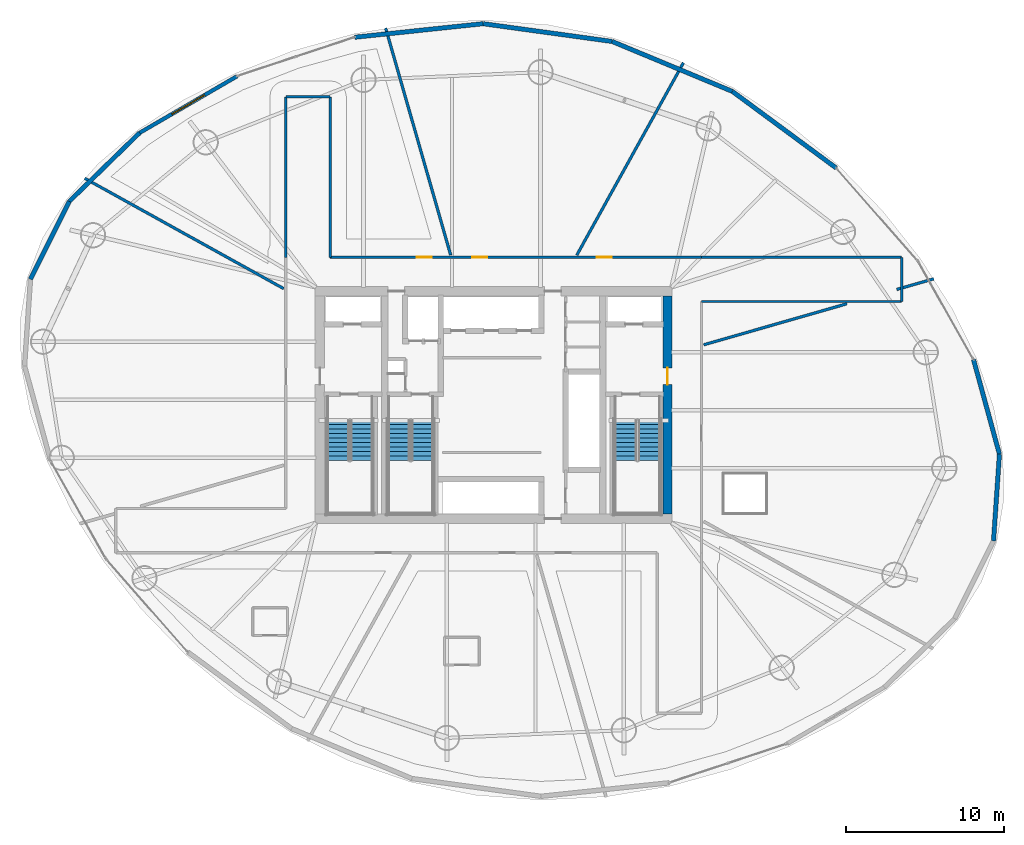
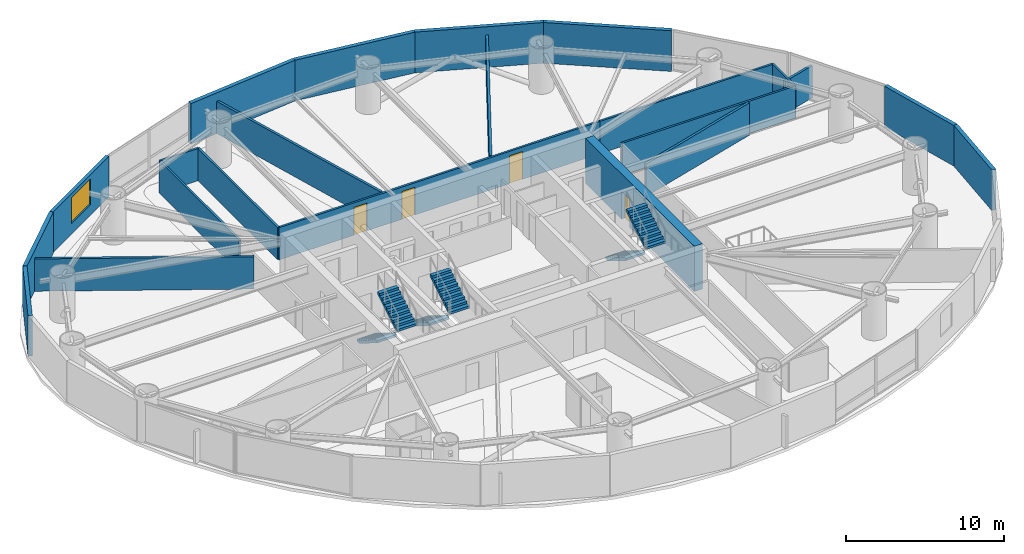
# One storey, part 20 of 25: 22 walls, 6 stair flights, 4 doors, 1 window, 5 openings, 3 elements without a shape of their own.
"""IFC4 building model written with IfcOpenShell, lengths in metres."""

from ifc_helpers import new_model, si_unit, direction, frame, frame_2d, origin, place, context, subcontext, project, spatial, polyline, rectangle, outline, extrude, material, layer, layer_set, type_object, element, fill, aggregate, save


model = new_model("IFC4")

# Units and contexts
model_context = context("Model", 3, precision=1e-05, world=origin(), true_north=direction((0.0, 1.0)))
body_context = subcontext(model_context, "Body", "Model", "MODEL_VIEW")
ifc_project = project(units=[si_unit("LENGTHUNIT", "METRE"), si_unit("AREAUNIT", "SQUARE_METRE"), si_unit("VOLUMEUNIT", "CUBIC_METRE"), si_unit("PLANEANGLEUNIT", "RADIAN"), si_unit("MASSUNIT", "GRAM", prefix="KILO")], contexts=[model_context])

# Site, building, storey
site_placement = place(None, origin())
site = spatial("IfcSite", under=ifc_project, at=site_placement, CompositionType="ELEMENT")
building_placement = place(site_placement, origin())
building = spatial("IfcBuilding", under=site, at=building_placement, Name="Bramvorn Convention Spire", CompositionType="ELEMENT")
storey_placement = place(building_placement, frame((0.0, 0.0, 93.89990234375)))
storey = spatial("IfcBuildingStorey", under=building, at=storey_placement, Name="L22", CompositionType="ELEMENT", Elevation=93.89990234375)

# Wall, opening, door
ifc_material_1 = material(Name="Concrete C60/70", Category="concrete")
ifc_layer_1 = layer(ifc_material_1, 0.60009765625)
ifc_layer_set_1 = layer_set([ifc_layer_1], Name="Concrete C60/70 - WL-CORE-600")
wall_type_1 = type_object("IfcWallType", Name="WL-CORE-600", PredefinedType="SHEAR", material=ifc_layer_set_1)
wall_1_placement = place(storey_placement, frame((49.0, 19.10009765625, 0.0), z_axis=(0.0, 0.0, 1.0), x_axis=(0.0, 1.0, 0.0)))
wall_1 = element("IfcWall", 1, at=wall_1_placement, inside=storey, type_object=wall_type_1, Name="L22 East RC core shear wall", PredefinedType="SHEAR", context=body_context, shape_type="SweptSolid", body=[
    extrude(rectangle(XDim=13.7998046875, YDim=0.60009765625, at=frame_2d((6.89990234375, 0.0))), origin(), (0.0, 0.0, 1.0), 3.5),
])
opening_1_placement = place(wall_1_placement, frame((8.199951171875, 0.0, 0.0)))
opening_1 = element("IfcOpeningElement", 2, at=opening_1_placement, cuts=wall_1, Name="Opening DL-105", PredefinedType="OPENING", context=body_context, shape_type="SweptSolid", body=[
    extrude(rectangle(XDim=1.050048828125, YDim=2.14990234375, at=frame_2d((0.52490234375, 1.074951171875))), frame((0.0, 0.31005859375, 0.0), z_axis=(0.0, -1.0, 0.0), x_axis=(1.0, 0.0, 0.0)), (0.0, 0.0, 1.0), 0.6201171875),
])
ifc_material_2 = material(Name="Smoke-Sealed Fire Lobby Timber-Core Door", Category="wood")
door_type_1 = type_object("IfcDoorType", Name="DR-LOBBY-1050", OperationType="NOTDEFINED", PredefinedType="DOOR", material=ifc_material_2)
door_1_placement = place(opening_1_placement, origin())
door_1 = element("IfcDoor", 3, at=door_1_placement, inside=storey, type_object=door_type_1, Name="L22 East Firefighting Lobby corridor door", OperationType="SINGLE_SWING_LEFT", OverallHeight=2.14990234375, OverallWidth=1.050048828125, PredefinedType="DOOR", context=body_context, shape_type="SweptSolid", body=[
    extrude(rectangle(XDim=1.050048828125, YDim=2.14990234375, at=frame_2d((0.52490234375, 1.074951171875))), frame((0.0, 0.02490234375, 0.0), z_axis=(0.0, -1.0, 0.0), x_axis=(1.0, 0.0, 0.0)), (0.0, 0.0, 1.0), 0.050048828125),
])
fill(opening_1, door_1)

# Walls
ifc_material_3 = material(Name="Precast Concrete C40/50 with Bronze Terracotta Rainscreen", Category="masonry")
ifc_layer_2 = layer(ifc_material_3, 0.300048828125)
ifc_layer_set_2 = layer_set([ifc_layer_2], Name="Precast Concrete C40/50 with Bronze Terracotta Rainscreen - WL-EXT-BRONZE-300")
wall_type_2 = type_object("IfcWallType", Name="WL-EXT-BRONZE-300", PredefinedType="SOLIDWALL", material=ifc_layer_set_2)
wall_2_placement = place(storey_placement, frame((70.00830078125, 22.889892578125, 0.0), z_axis=(0.0, 0.0, 1.0), x_axis=(-0.068216787808, -0.997670521696, 0.0)))
element("IfcWall", 4, at=wall_2_placement, inside=storey, type_object=wall_type_2, Name="L22 expressed bronze Gothic lancet pier wall 01", PredefinedType="SOLIDWALL", context=body_context, shape_type="SweptSolid", body=[
    extrude(rectangle(XDim=5.4970703125, YDim=0.280029296875, at=frame_2d((2.74853515625, 0.0))), origin(), (0.0, 0.0, 1.0), 3.150146484375),
])
wall_3_placement = place(storey_placement, frame((68.366943359375, 28.88134765625, 0.0), z_axis=(0.0, 0.0, 1.0), x_axis=(0.264214615474, -0.964463911699, 0.0)))
element("IfcWall", 5, at=wall_3_placement, inside=storey, type_object=wall_type_2, Name="L22 expressed bronze Gothic lancet pier wall 02", PredefinedType="SOLIDWALL", context=body_context, shape_type="SweptSolid", body=[
    extrude(rectangle(XDim=6.212158203125, YDim=0.280029296875, at=frame_2d((3.10595703125, 0.0))), origin(), (0.0, 0.0, 1.0), 3.150146484375),
])
wall_4_placement = place(storey_placement, frame((53.106201171875, 45.848876953125, 0.0), z_axis=(0.0, 0.0, 1.0), x_axis=(0.804633561054, -0.593771700593, 0.0)))
element("IfcWall", 6, at=wall_4_placement, inside=storey, type_object=wall_type_2, Name="L22 expressed bronze Gothic lancet pier wall 05", PredefinedType="SOLIDWALL", context=body_context, shape_type="SweptSolid", body=[
    extrude(rectangle(XDim=8.170654296875, YDim=0.280029296875, at=frame_2d((4.08544921875, 0.0))), origin(), (0.0, 0.0, 1.0), 3.150146484375),
])
wall_5_placement = place(storey_placement, frame((45.4951171875, 49.01025390625, 0.0), z_axis=(0.0, 0.0, 1.0), x_axis=(0.923503174131, -0.383590781133, 0.0)))
element("IfcWall", 7, at=wall_5_placement, inside=storey, type_object=wall_type_2, Name="L22 expressed bronze Gothic lancet pier wall 06", PredefinedType="SOLIDWALL", context=body_context, shape_type="SweptSolid", body=[
    extrude(rectangle(XDim=8.241455078125, YDim=0.280029296875, at=frame_2d((4.12060546875, 0.0))), origin(), (0.0, 0.0, 1.0), 3.150146484375),
])
wall_6_placement = place(storey_placement, frame((37.3310546875, 50.134765625, 0.0), z_axis=(0.0, 0.0, 1.0), x_axis=(0.99064683014, -0.136450935994, 0.0)))
element("IfcWall", 8, at=wall_6_placement, inside=storey, type_object=wall_type_2, Name="L22 expressed bronze Gothic lancet pier wall 07", PredefinedType="SOLIDWALL", context=body_context, shape_type="SweptSolid", body=[
    extrude(rectangle(XDim=8.2412109375, YDim=0.280029296875, at=frame_2d((4.12060546875, 0.0))), origin(), (0.0, 0.0, 1.0), 3.150146484375),
])
wall_7_placement = place(storey_placement, frame((29.205322265625, 49.277099609375, 0.0), z_axis=(0.0, 0.0, 1.0), x_axis=(0.994475779268, 0.104966301492, 0.0)))
element("IfcWall", 9, at=wall_7_placement, inside=storey, type_object=wall_type_2, Name="L22 expressed bronze Gothic lancet pier wall 08", PredefinedType="SOLIDWALL", context=body_context, shape_type="SweptSolid", body=[
    extrude(rectangle(XDim=8.1708984375, YDim=0.280029296875, at=frame_2d((4.08544921875, 0.0))), origin(), (0.0, 0.0, 1.0), 3.150146484375),
])

# Wall, opening, window
wall_8_placement = place(storey_placement, frame((15.582275390625, 43.22265625, 0.0), z_axis=(0.0, 0.0, 1.0), x_axis=(0.864602156162, 0.502457074346, 0.0)))
wall_8 = element("IfcWall", 10, at=wall_8_placement, inside=storey, type_object=wall_type_2, Name="L22 bronze ceramic-frit spandrel & operable window bay 10", PredefinedType="SOLIDWALL", context=body_context, shape_type="SweptSolid", body=[
    extrude(rectangle(XDim=7.142578125, YDim=0.239990234375, at=frame_2d((3.5712890625, 0.0))), origin(), (0.0, 0.0, 1.0), 3.150146484375),
])
opening_2_placement = place(wall_8_placement, frame((2.371337890625, 0.0, 0.85009765625)))
opening_2 = element("IfcOpeningElement", 11, at=opening_2_placement, cuts=wall_8, Name="Opening WN05", PredefinedType="OPENING", context=body_context, shape_type="SweptSolid", body=[
    extrude(rectangle(XDim=2.39990234375, YDim=2.0, at=frame_2d((1.199951171875, 1.0))), frame((0.0, 0.1298828125, 0.0), z_axis=(0.0, -1.0, 0.0), x_axis=(1.0, 0.0, 0.0)), (0.0, 0.0, 1.0), 0.260009765625),
])
ifc_material_4 = material(Name="Thermally Broken Bronze Aluminium & Triple Low-E Glass", Category="aluminium")
window_type = type_object("IfcWindowType", Name="WN-OP-2400X2000", PartitioningType="SINGLE_PANEL", PredefinedType="WINDOW", material=ifc_material_4)
window_placement = place(opening_2_placement, origin())
window = element("IfcWindow", 12, at=window_placement, inside=storey, type_object=window_type, Name="L22 operable parallel-vent window 10", OverallHeight=2.0, OverallWidth=2.39990234375, PartitioningType="SINGLE_PANEL", PredefinedType="WINDOW", context=body_context, shape_type="SweptSolid", body=[
    extrude(rectangle(XDim=2.39990234375, YDim=2.0, at=frame_2d((1.199951171875, 1.0))), frame((0.0, 0.030029296875, 0.0), z_axis=(0.0, -1.0, 0.0), x_axis=(1.0, 0.0, 0.0)), (0.0, 0.0, 1.0), 0.06005859375),
])
fill(opening_2, window)

# Walls
wall_9_placement = place(storey_placement, frame((11.134765625, 38.885498046875, 0.0), z_axis=(0.0, 0.0, 1.0), x_axis=(0.715932856162, 0.698169138152, 0.0)))
element("IfcWall", 13, at=wall_9_placement, inside=storey, type_object=wall_type_2, Name="L22 expressed bronze Gothic lancet pier wall 11", PredefinedType="SOLIDWALL", context=body_context, shape_type="SweptSolid", body=[
    extrude(rectangle(XDim=6.212158203125, YDim=0.280029296875, at=frame_2d((3.10595703125, 0.0))), origin(), (0.0, 0.0, 1.0), 3.150146484375),
])
wall_10_placement = place(storey_placement, frame((8.682861328125, 33.96533203125, 0.0), z_axis=(0.0, 0.0, 1.0), x_axis=(0.446022975925, 0.895021510885, 0.0)))
element("IfcWall", 14, at=wall_10_placement, inside=storey, type_object=wall_type_2, Name="L22 expressed bronze Gothic lancet pier wall 12", PredefinedType="SOLIDWALL", context=body_context, shape_type="SweptSolid", body=[
    extrude(rectangle(XDim=5.497314453125, YDim=0.280029296875, at=frame_2d((2.74853515625, 0.0))), origin(), (0.0, 0.0, 1.0), 3.150146484375),
])

# Wall, openings, doors
ifc_material_5 = material(Name="Acoustic Metal-Stud Tenant/Corridor Partition", Category="gypsum")
ifc_layer_3 = layer(ifc_material_5, 0.14990234375)
ifc_layer_set_3 = layer_set([ifc_layer_3], Name="Acoustic Metal-Stud Tenant/Corridor Partition - WL-PART-150")
wall_type_3 = type_object("IfcWallType", Name="WL-PART-150", PredefinedType="PARTITIONING", material=ifc_layer_set_3)
wall_11_placement = place(storey_placement, frame((27.64990234375, 35.35009765625, 0.0), z_axis=(0.0, 0.0, 1.0), x_axis=(1.0, 0.0, 0.0)))
wall_11 = element("IfcWall", 15, at=wall_11_placement, inside=storey, type_object=wall_type_3, Name="L22 North ring corridor wall", PredefinedType="PARTITIONING", context=body_context, shape_type="SweptSolid", body=[
    extrude(rectangle(XDim=23.5, YDim=0.14990234375, at=frame_2d((11.75, 0.0))), origin(), (0.0, 0.0, 1.0), 2.5),
])
opening_3_placement = place(wall_11_placement, frame((16.876953125, 0.0, 0.0)))
opening_3 = element("IfcOpeningElement", 16, at=opening_3_placement, cuts=wall_11, Name="Opening DH-095", PredefinedType="OPENING", context=body_context, shape_type="SweptSolid", body=[
    extrude(rectangle(XDim=0.949951171875, YDim=2.14990234375, at=frame_2d((0.47509765625, 1.074951171875))), frame((0.0, 0.0849609375, 0.0), z_axis=(0.0, -1.0, 0.0), x_axis=(1.0, 0.0, 0.0)), (0.0, 0.0, 1.0), 0.169921875),
])
opening_4_placement = place(wall_11_placement, frame((9.003173828125, 0.0, 0.0)))
opening_4 = element("IfcOpeningElement", 17, at=opening_4_placement, cuts=wall_11, Name="Opening DH-095", PredefinedType="OPENING", context=body_context, shape_type="SweptSolid", body=[
    extrude(rectangle(XDim=0.949951171875, YDim=2.14990234375, at=frame_2d((0.47509765625, 1.074951171875))), frame((0.0, 0.0849609375, 0.0), z_axis=(0.0, -1.0, 0.0), x_axis=(1.0, 0.0, 0.0)), (0.0, 0.0, 1.0), 0.169921875),
])
opening_5_placement = place(wall_11_placement, frame((5.47314453125, 0.0, 0.0)))
opening_5 = element("IfcOpeningElement", 18, at=opening_5_placement, cuts=wall_11, Name="Opening DH-095", PredefinedType="OPENING", context=body_context, shape_type="SweptSolid", body=[
    extrude(rectangle(XDim=0.949951171875, YDim=2.14990234375, at=frame_2d((0.47509765625, 1.074951171875))), frame((0.0, 0.0849609375, 0.0), z_axis=(0.0, -1.0, 0.0), x_axis=(1.0, 0.0, 0.0)), (0.0, 0.0, 1.0), 0.169921875),
])
ifc_material_6 = material(Name="Solid-Core Acoustic Guestroom Entry Door", Category="wood")
door_type_2 = type_object("IfcDoorType", Name="DR-HOTEL-950", OperationType="NOTDEFINED", PredefinedType="DOOR", material=ifc_material_6)
door_2_placement = place(opening_3_placement, origin())
door_2 = element("IfcDoor", 19, at=door_2_placement, inside=storey, type_object=door_type_2, Name="L22 Hospitality Lounge 1 door", OperationType="SINGLE_SWING_RIGHT", OverallHeight=2.14990234375, OverallWidth=0.949951171875, PredefinedType="DOOR", context=body_context, shape_type="SweptSolid", body=[
    extrude(rectangle(XDim=0.949951171875, YDim=2.14990234375, at=frame_2d((0.47509765625, 1.074951171875))), frame((0.0, 0.02490234375, 0.0), z_axis=(0.0, -1.0, 0.0), x_axis=(1.0, 0.0, 0.0)), (0.0, 0.0, 1.0), 0.050048828125),
])
fill(opening_3, door_2)
door_3_placement = place(opening_4_placement, origin())
door_3 = element("IfcDoor", 20, at=door_3_placement, inside=storey, type_object=door_type_2, Name="L22 Hospitality Lounge 2 door", OperationType="SINGLE_SWING_RIGHT", OverallHeight=2.14990234375, OverallWidth=0.949951171875, PredefinedType="DOOR", context=body_context, shape_type="SweptSolid", body=[
    extrude(rectangle(XDim=0.949951171875, YDim=2.14990234375, at=frame_2d((0.47509765625, 1.074951171875))), frame((0.0, 0.02490234375, 0.0), z_axis=(0.0, -1.0, 0.0), x_axis=(1.0, 0.0, 0.0)), (0.0, 0.0, 1.0), 0.050048828125),
])
fill(opening_4, door_3)
door_4_placement = place(opening_5_placement, origin())
door_4 = element("IfcDoor", 21, at=door_4_placement, inside=storey, type_object=door_type_2, Name="Hotel Suite 2203 entry door", OperationType="SINGLE_SWING_RIGHT", OverallHeight=2.14990234375, OverallWidth=0.949951171875, PredefinedType="DOOR", context=body_context, shape_type="SweptSolid", body=[
    extrude(rectangle(XDim=0.949951171875, YDim=2.14990234375, at=frame_2d((0.47509765625, 1.074951171875))), frame((0.0, 0.02490234375, 0.0), z_axis=(0.0, -1.0, 0.0), x_axis=(1.0, 0.0, 0.0)), (0.0, 0.0, 1.0), 0.050048828125),
])
fill(opening_5, door_4)

# Walls
for number, where, z_axis, x_axis, name in (
    (22, (51.14990234375, 35.35009765625, 0.0), (0.0, 0.0, 1.0), (1.0, 0.0, 0.0), "L22 NE pinwheel wing north wall"),
    (23, (51.14990234375, 32.550048828125, 0.0), (0.0, 0.0, 1.0), (1.0, 0.0, 0.0), "L22 NE pinwheel wing south wall"),
):
    element("IfcWall", number, at=place(storey_placement, frame(where, z_axis=z_axis, x_axis=x_axis)), inside=storey, type_object=wall_type_3, Name=name, PredefinedType="PARTITIONING", context=body_context, shape_type="SweptSolid", body=[
        extrude(rectangle(XDim=12.675048828125, YDim=0.14990234375, at=frame_2d((6.33740234375, 0.0))), origin(), (0.0, 0.0, 1.0), 2.5),
    ])
wall_12_placement = place(storey_placement, frame((63.824951171875, 32.550048828125, 0.0), z_axis=(0.0, 0.0, 1.0), x_axis=(0.0, 1.0, 0.0)))
element("IfcWall", 24, at=wall_12_placement, inside=storey, type_object=wall_type_3, Name="L22 NE pinwheel end wall", PredefinedType="PARTITIONING", context=body_context, shape_type="SweptSolid", body=[
    extrude(rectangle(XDim=2.800048828125, YDim=0.14990234375, at=frame_2d((1.39990234375, 0.0))), origin(), (0.0, 0.0, 1.0), 2.5),
])
for number, where, z_axis, x_axis, name in (
    (25, (24.85009765625, 35.35009765625, 0.0), (0.0, 0.0, 1.0), (0.0, 1.0, 0.0), "L22 NW pinwheel wing west wall"),
    (26, (27.64990234375, 35.35009765625, 0.0), (0.0, 0.0, 1.0), (0.0, 1.0, 0.0), "L22 NW pinwheel wing east wall"),
):
    element("IfcWall", number, at=place(storey_placement, frame(where, z_axis=z_axis, x_axis=x_axis)), inside=storey, type_object=wall_type_3, Name=name, PredefinedType="PARTITIONING", context=body_context, shape_type="SweptSolid", body=[
        extrude(rectangle(XDim=10.14990234375, YDim=0.14990234375, at=frame_2d((5.074951171875, 0.0))), origin(), (0.0, 0.0, 1.0), 2.5),
    ])
wall_13_placement = place(storey_placement, frame((24.85009765625, 45.5, 0.0), z_axis=(0.0, 0.0, 1.0), x_axis=(1.0, 0.0, 0.0)))
element("IfcWall", 27, at=wall_13_placement, inside=storey, type_object=wall_type_3, Name="L22 NW pinwheel end wall", PredefinedType="PARTITIONING", context=body_context, shape_type="SweptSolid", body=[
    extrude(rectangle(XDim=2.7998046875, YDim=0.14990234375, at=frame_2d((1.39990234375, 0.0))), origin(), (0.0, 0.0, 1.0), 2.5),
])
ifc_material_7 = material(Name="Double-Stud Acoustic Hotel/Suite Partition", Category="gypsum")
ifc_layer_4 = layer(ifc_material_7, 0.175048828125)
ifc_layer_set_4 = layer_set([ifc_layer_4], Name="Double-Stud Acoustic Hotel/Suite Partition - WL-PART-175")
wall_type_4 = type_object("IfcWallType", Name="WL-PART-175", PredefinedType="PARTITIONING", material=ifc_layer_set_4)
wall_14_placement = place(storey_placement, frame((51.2900390625, 29.810791015625, 0.0), z_axis=(0.0, 0.0, 1.0), x_axis=(0.961261668066, 0.275637453019, 0.0)))
element("IfcWall", 28, at=wall_14_placement, inside=storey, type_object=wall_type_4, Name="L22 Guestroom demising wall 1", PredefinedType="PARTITIONING", context=body_context, shape_type="SweptSolid", body=[
    extrude(rectangle(XDim=9.429443359375, YDim=0.175048828125, at=frame_2d((4.71484375, 0.0))), origin(), (0.0, 0.0, 1.0), 2.5),
])
wall_15_placement = place(storey_placement, frame((63.50537109375, 33.3134765625, 0.0), z_axis=(0.0, 0.0, 1.0), x_axis=(0.961256191917, 0.275656549898, 0.0)))
element("IfcWall", 29, at=wall_15_placement, inside=storey, type_object=wall_type_4, Name="L22 Guestroom demising wall 1", PredefinedType="PARTITIONING", context=body_context, shape_type="SweptSolid", body=[
    extrude(rectangle(XDim=2.447021484375, YDim=0.175048828125, at=frame_2d((1.2236328125, 0.0))), origin(), (0.0, 0.0, 1.0), 2.5),
])
wall_16_placement = place(storey_placement, frame((43.260498046875, 35.489990234375, 0.0), z_axis=(0.0, 0.0, 1.0), x_axis=(0.484809179238, 0.874619951594, 0.0)))
element("IfcWall", 30, at=wall_16_placement, inside=storey, type_object=wall_type_4, Name="L22 Guestroom demising wall 2", PredefinedType="PARTITIONING", context=body_context, shape_type="SweptSolid", body=[
    extrude(rectangle(XDim=13.926513671875, YDim=0.175048828125, at=frame_2d((6.96337890625, 0.0))), origin(), (0.0, 0.0, 1.0), 2.5),
])
wall_17_placement = place(storey_placement, frame((35.27880859375, 35.489990234375, 0.0), z_axis=(0.0, 0.0, 1.0), x_axis=(-0.27563986981, 0.961260975059, 0.0)))
element("IfcWall", 31, at=wall_17_placement, inside=storey, type_object=wall_type_4, Name="L22 Guestroom demising wall 3", PredefinedType="PARTITIONING", context=body_context, shape_type="SweptSolid", body=[
    extrude(rectangle(XDim=14.94921875, YDim=0.175048828125, at=frame_2d((7.474609375, 0.0))), origin(), (0.0, 0.0, 1.0), 2.5),
])
wall_18_placement = place(storey_placement, frame((24.7099609375, 33.36669921875, 0.0), z_axis=(0.0, 0.0, 1.0), x_axis=(-0.874619537092, 0.48480992702, 0.0)))
element("IfcWall", 32, at=wall_18_placement, inside=storey, type_object=wall_type_4, Name="L22 Guestroom demising wall 4", PredefinedType="PARTITIONING", context=body_context, shape_type="SweptSolid", body=[
    extrude(rectangle(XDim=14.411865234375, YDim=0.175048828125, at=frame_2d((7.2060546875, 0.0))), origin(), (0.0, 0.0, 1.0), 2.5),
])

# Stair, stair flights
ifc_material_8 = material(Name="Concrete C40/50 Precast Stair", Category="concrete")
stair_type = type_object("IfcStairType", Name="ST-TOWER-1550", PredefinedType="HALF_TURN_STAIR", material=ifc_material_8)
stair_1_placement = place(storey_placement, origin())
stair_1 = element("IfcStair", 33, at=stair_1_placement, inside=storey, type_object=stair_type, Name="L22 Protected Exit Stair ST1", PredefinedType="HALF_TURN_STAIR")
ifc_material_9 = material(Name="Concrete C40/50 Precast Stair Flight", Category="concrete")
stair_flight_type = type_object("IfcStairFlightType", Name="STF-TOWER-1550", PredefinedType="STRAIGHT", material=ifc_material_9)
stair_flight_1_placement = place(storey_placement, frame((28.155029296875, 25.050048828125, 0.0), z_axis=(0.0, 0.0, 1.0), x_axis=(0.0, -1.0, 0.0)))
stair_flight_1 = element("IfcStairFlight", 34, at=stair_flight_1_placement, type_object=stair_flight_type, Name="ST1 flight 1", NumberOfRisers=10, NumberOfTreads=9, PredefinedType="STRAIGHT", RiserHeight=0.175, TreadLength=0.285, context=body_context, shape_type="SweptSolid", body=[
    extrude(outline(polyline([(0.0, 0.0), (0.0, 0.175048828125), (0.284912109375, 0.175048828125), (0.284912109375, 0.35009765625), (0.570068359375, 0.35009765625), (0.570068359375, 0.52490234375), (0.85498046875, 0.52490234375), (0.85498046875, 0.699951171875), (1.139892578125, 0.699951171875), (1.139892578125, 0.875), (1.425048828125, 0.875), (1.425048828125, 1.050048828125), (1.7099609375, 1.050048828125), (1.7099609375, 1.22509765625), (1.9951171875, 1.22509765625), (1.9951171875, 1.39990234375), (2.280029296875, 1.39990234375), (2.280029296875, 1.574951171875), (2.56494140625, 1.574951171875), (2.56494140625, 1.75), (2.56494140625, 1.399169921875), (0.286376953125, 0.0), (0.0, 0.0)])), frame((0.0, 0.705078125, 0.0), z_axis=(0.0, -1.0, 0.0), x_axis=(1.0, 0.0, 0.0)), (0.0, 0.0, 1.0), 1.409912109375),
])
stair_flight_2_placement = place(storey_placement, frame((29.64501953125, 22.485107421875, 1.75), z_axis=(0.0, 0.0, 1.0), x_axis=(0.0, 1.0, 0.0)))
stair_flight_2 = element("IfcStairFlight", 35, at=stair_flight_2_placement, type_object=stair_flight_type, Name="ST1 flight 2", NumberOfRisers=10, NumberOfTreads=9, PredefinedType="STRAIGHT", RiserHeight=0.175, TreadLength=0.285, context=body_context, shape_type="SweptSolid", body=[
    extrude(outline(polyline([(0.0, 0.0), (0.0, 0.175048828125), (0.284912109375, 0.175048828125), (0.284912109375, 0.35009765625), (0.570068359375, 0.35009765625), (0.570068359375, 0.52490234375), (0.85498046875, 0.52490234375), (0.85498046875, 0.699951171875), (1.139892578125, 0.699951171875), (1.139892578125, 0.875), (1.425048828125, 0.875), (1.425048828125, 1.050048828125), (1.7099609375, 1.050048828125), (1.7099609375, 1.22509765625), (1.9951171875, 1.22509765625), (1.9951171875, 1.39990234375), (2.280029296875, 1.39990234375), (2.280029296875, 1.574951171875), (2.56494140625, 1.574951171875), (2.56494140625, 1.75), (2.56494140625, 1.399169921875), (0.286376953125, 0.0), (0.0, 0.0)])), frame((0.0, 0.705078125, 0.0), z_axis=(0.0, -1.0, 0.0), x_axis=(1.0, 0.0, 0.0)), (0.0, 0.0, 1.0), 1.409912109375),
])
aggregate(stair_1, [stair_flight_1, stair_flight_2])

stair_2_placement = place(storey_placement, origin())
stair_2 = element("IfcStair", 36, at=stair_2_placement, inside=storey, type_object=stair_type, Name="L22 Protected Exit Stair ST2", PredefinedType="HALF_TURN_STAIR")
stair_flight_3_placement = place(storey_placement, frame((46.35498046875, 25.050048828125, 0.0), z_axis=(0.0, 0.0, 1.0), x_axis=(0.0, -1.0, 0.0)))
stair_flight_3 = element("IfcStairFlight", 37, at=stair_flight_3_placement, type_object=stair_flight_type, Name="ST2 flight 1", NumberOfRisers=10, NumberOfTreads=9, PredefinedType="STRAIGHT", RiserHeight=0.175, TreadLength=0.285, context=body_context, shape_type="SweptSolid", body=[
    extrude(outline(polyline([(0.0, 0.0), (0.0, 0.175048828125), (0.284912109375, 0.175048828125), (0.284912109375, 0.35009765625), (0.570068359375, 0.35009765625), (0.570068359375, 0.52490234375), (0.85498046875, 0.52490234375), (0.85498046875, 0.699951171875), (1.139892578125, 0.699951171875), (1.139892578125, 0.875), (1.425048828125, 0.875), (1.425048828125, 1.050048828125), (1.7099609375, 1.050048828125), (1.7099609375, 1.22509765625), (1.9951171875, 1.22509765625), (1.9951171875, 1.39990234375), (2.280029296875, 1.39990234375), (2.280029296875, 1.574951171875), (2.56494140625, 1.574951171875), (2.56494140625, 1.75), (2.56494140625, 1.399169921875), (0.286376953125, 0.0), (0.0, 0.0)])), frame((0.0, 0.705078125, 0.0), z_axis=(0.0, -1.0, 0.0), x_axis=(1.0, 0.0, 0.0)), (0.0, 0.0, 1.0), 1.409912109375),
])
stair_flight_4_placement = place(storey_placement, frame((47.844970703125, 22.485107421875, 1.75), z_axis=(0.0, 0.0, 1.0), x_axis=(0.0, 1.0, 0.0)))
stair_flight_4 = element("IfcStairFlight", 38, at=stair_flight_4_placement, type_object=stair_flight_type, Name="ST2 flight 2", NumberOfRisers=10, NumberOfTreads=9, PredefinedType="STRAIGHT", RiserHeight=0.175, TreadLength=0.285, context=body_context, shape_type="SweptSolid", body=[
    extrude(outline(polyline([(0.0, 0.0), (0.0, 0.175048828125), (0.284912109375, 0.175048828125), (0.284912109375, 0.35009765625), (0.570068359375, 0.35009765625), (0.570068359375, 0.52490234375), (0.85498046875, 0.52490234375), (0.85498046875, 0.699951171875), (1.139892578125, 0.699951171875), (1.139892578125, 0.875), (1.425048828125, 0.875), (1.425048828125, 1.050048828125), (1.7099609375, 1.050048828125), (1.7099609375, 1.22509765625), (1.9951171875, 1.22509765625), (1.9951171875, 1.39990234375), (2.280029296875, 1.39990234375), (2.280029296875, 1.574951171875), (2.56494140625, 1.574951171875), (2.56494140625, 1.75), (2.56494140625, 1.399169921875), (0.286376953125, 0.0), (0.0, 0.0)])), frame((0.0, 0.705078125, 0.0), z_axis=(0.0, -1.0, 0.0), x_axis=(1.0, 0.0, 0.0)), (0.0, 0.0, 1.0), 1.409912109375),
])
aggregate(stair_2, [stair_flight_3, stair_flight_4])

stair_3_placement = place(storey_placement, origin())
stair_3 = element("IfcStair", 39, at=stair_3_placement, inside=storey, type_object=stair_type, Name="L22 Protected Exit Stair ST3", PredefinedType="HALF_TURN_STAIR")
stair_flight_5_placement = place(storey_placement, frame((32.0048828125, 25.050048828125, 0.0), z_axis=(0.0, 0.0, 1.0), x_axis=(0.0, -1.0, 0.0)))
stair_flight_5 = element("IfcStairFlight", 40, at=stair_flight_5_placement, type_object=stair_flight_type, Name="ST3 flight 1", NumberOfRisers=10, NumberOfTreads=9, PredefinedType="STRAIGHT", RiserHeight=0.175, TreadLength=0.285, context=body_context, shape_type="SweptSolid", body=[
    extrude(outline(polyline([(0.0, 0.0), (0.0, 0.175048828125), (0.284912109375, 0.175048828125), (0.284912109375, 0.35009765625), (0.570068359375, 0.35009765625), (0.570068359375, 0.52490234375), (0.85498046875, 0.52490234375), (0.85498046875, 0.699951171875), (1.139892578125, 0.699951171875), (1.139892578125, 0.875), (1.425048828125, 0.875), (1.425048828125, 1.050048828125), (1.7099609375, 1.050048828125), (1.7099609375, 1.22509765625), (1.9951171875, 1.22509765625), (1.9951171875, 1.39990234375), (2.280029296875, 1.39990234375), (2.280029296875, 1.574951171875), (2.56494140625, 1.574951171875), (2.56494140625, 1.75), (2.56494140625, 1.399169921875), (0.286376953125, 0.0), (0.0, 0.0)])), frame((0.0, 0.705078125, 0.0), z_axis=(0.0, -1.0, 0.0), x_axis=(1.0, 0.0, 0.0)), (0.0, 0.0, 1.0), 1.409912109375),
])
stair_flight_6_placement = place(storey_placement, frame((33.4951171875, 22.485107421875, 1.75), z_axis=(0.0, 0.0, 1.0), x_axis=(0.0, 1.0, 0.0)))
stair_flight_6 = element("IfcStairFlight", 41, at=stair_flight_6_placement, type_object=stair_flight_type, Name="ST3 flight 2", NumberOfRisers=10, NumberOfTreads=9, PredefinedType="STRAIGHT", RiserHeight=0.175, TreadLength=0.285, context=body_context, shape_type="SweptSolid", body=[
    extrude(outline(polyline([(0.0, 0.0), (0.0, 0.175048828125), (0.284912109375, 0.175048828125), (0.284912109375, 0.35009765625), (0.570068359375, 0.35009765625), (0.570068359375, 0.52490234375), (0.85498046875, 0.52490234375), (0.85498046875, 0.699951171875), (1.139892578125, 0.699951171875), (1.139892578125, 0.875), (1.425048828125, 0.875), (1.425048828125, 1.050048828125), (1.7099609375, 1.050048828125), (1.7099609375, 1.22509765625), (1.9951171875, 1.22509765625), (1.9951171875, 1.39990234375), (2.280029296875, 1.39990234375), (2.280029296875, 1.574951171875), (2.56494140625, 1.574951171875), (2.56494140625, 1.75), (2.56494140625, 1.399169921875), (0.286376953125, 0.0), (0.0, 0.0)])), frame((0.0, 0.705078125, 0.0), z_axis=(0.0, -1.0, 0.0), x_axis=(1.0, 0.0, 0.0)), (0.0, 0.0, 1.0), 1.409912109375),
])
aggregate(stair_3, [stair_flight_5, stair_flight_6])

save(model, "model.ifc")
